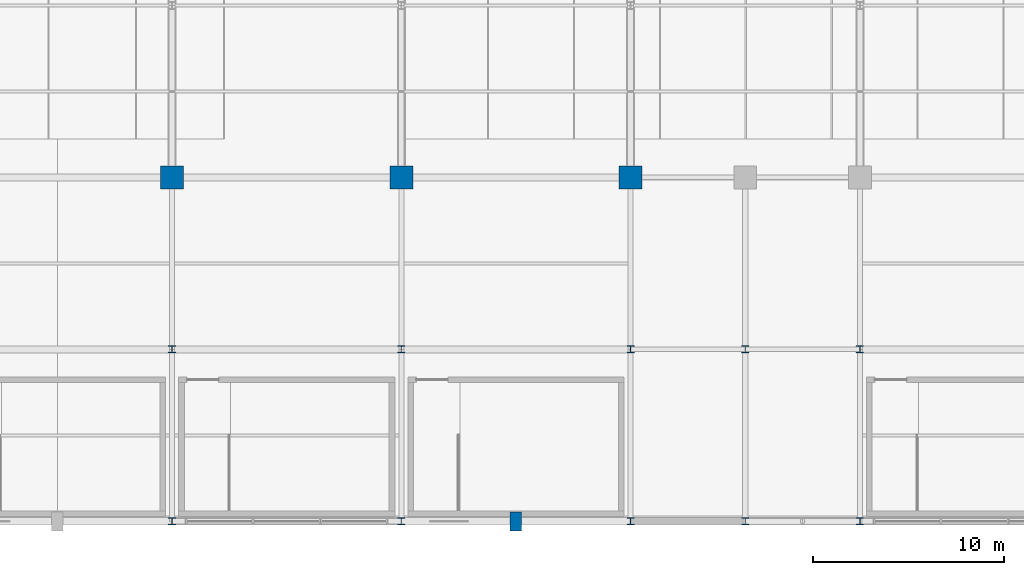
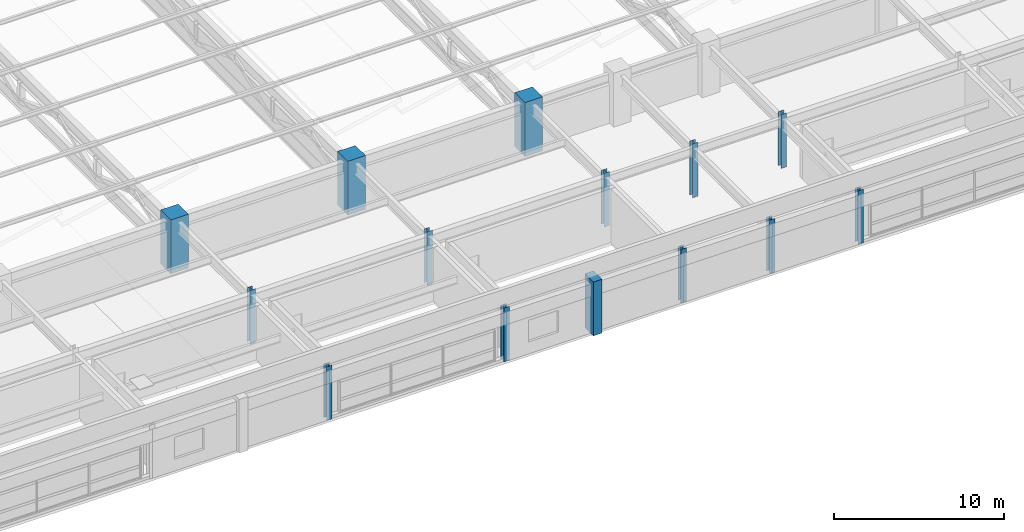
# One storey, part 4 of 108: 14 columns.
"""IFC4 building model written with IfcOpenShell, lengths in metres."""

from ifc_helpers import new_model, si_unit, direction, frame, origin, origin_2d, place, context, subcontext, project, spatial, rectangle, i_section, extrude, material, material_profile, profile_set, type_object, element, save


model = new_model("IFC4")

# Units and contexts
model_context = context("Model", 3, precision=1e-05, world=origin(), true_north=direction((0.0, 1.0)))
body_context = subcontext(model_context, "Body", "Model", "MODEL_VIEW")
ifc_project = project(units=[si_unit("LENGTHUNIT", "METRE"), si_unit("AREAUNIT", "SQUARE_METRE"), si_unit("VOLUMEUNIT", "CUBIC_METRE"), si_unit("PLANEANGLEUNIT", "RADIAN"), si_unit("MASSUNIT", "GRAM", prefix="KILO")], contexts=[model_context])

# Site, building, storey
site_placement = place(None, origin())
site = spatial("IfcSite", under=ifc_project, at=site_placement, CompositionType="ELEMENT")
building_placement = place(site_placement, origin())
building = spatial("IfcBuilding", under=site, at=building_placement, Name="Kaldorvane Square Convention Centre", CompositionType="ELEMENT")
storey_placement = place(building_placement, frame((0.0, 0.0, 23.399993896484375)))
storey = spatial("IfcBuildingStorey", under=building, at=storey_placement, Name="L04", CompositionType="ELEMENT", Elevation=23.399993896484375)

# Columns
ifc_material_1 = material(Name="Concrete f'c = 55 MPa (Normalweight)", Category="concrete")
ifc_material_profile_1 = material_profile(ifc_material_1, rectangle(XDim=1.1999969482421875, YDim=1.1999969482421875, at=origin_2d()), Name="RC1200X1200")
ifc_profile_set_1 = profile_set([ifc_material_profile_1], Name="Concrete f'c = 55 MPa (Normalweight)")
column_type_1 = type_object("IfcColumnType", Name="COL-MEGA-1200", PredefinedType="COLUMN", material=ifc_profile_set_1)
for number, where, z_axis, x_axis, name in (
    (1, (66.0, 18.0, 0.0), (0.0, 0.0, 1.0), (1.0, 0.0, 0.0), "Column MC-02 (L04)"),
    (2, (78.0, 18.0, 0.0), (0.0, 0.0, 1.0), (1.0, 0.0, 0.0), "Column MC-02 (L04)"),
    (3, (90.0, 18.0, 0.0), (0.0, 0.0, 1.0), (1.0, 0.0, 0.0), "Column MC-02 (L04)"),
):
    element("IfcColumn", number, at=place(storey_placement, frame(where, z_axis=z_axis, x_axis=x_axis)), inside=storey, type_object=column_type_1, Name=name, PredefinedType="COLUMN", context=body_context, shape_type="SweptSolid", body=[
        extrude(rectangle(XDim=1.1999969482421875, YDim=1.1999969482421875, at=origin_2d()), origin(), (0.0, 0.0, 1.0), 3.850006103515625),
    ])
ifc_material_2 = material(Name="Steel ASTM A992 Gr. 50", Category="steel")
ifc_material_profile_2 = material_profile(ifc_material_2, i_section(OverallWidth=0.3701019287109375, OverallDepth=0.360198974609375, WebThickness=0.012298583984375, FlangeThickness=0.019805908203125, FilletRadius=0.0305023193359375, at=origin_2d()), Name="W14X99")
ifc_profile_set_2 = profile_set([ifc_material_profile_2], Name="Steel ASTM A992 Gr. 50")
column_type_2 = type_object("IfcColumnType", Name="COL-STL-99", PredefinedType="COLUMN", material=ifc_profile_set_2)
for number, where, z_axis, x_axis, name in (
    (4, (66.0, 0.0, 0.0), (0.0, 0.0, 1.0), (1.0, 0.0, 0.0), "Column SC-12 (L04)"),
    (5, (66.0, 9.0, 0.0), (0.0, 0.0, 1.0), (1.0, 0.0, 0.0), "Column SC-12 (L04)"),
    (6, (78.0, 0.0, 0.0), (0.0, 0.0, 1.0), (1.0, 0.0, 0.0), "Column SC-12 (L04)"),
    (7, (78.0, 9.0, 0.0), (0.0, 0.0, 1.0), (1.0, 0.0, 0.0), "Column SC-12 (L04)"),
    (8, (90.0, 0.0, 0.0), (0.0, 0.0, 1.0), (1.0, 0.0, 0.0), "Column SC-12 (L04)"),
    (9, (90.0, 9.0, 0.0), (0.0, 0.0, 1.0), (1.0, 0.0, 0.0), "Column SC-12 (L04)"),
    (10, (96.0, 0.0, 0.0), (0.0, 0.0, 1.0), (1.0, 0.0, 0.0), "Column SC-12 (L04)"),
    (11, (96.0, 9.0, 0.0), (0.0, 0.0, 1.0), (1.0, 0.0, 0.0), "Column SC-12 (L04)"),
    (12, (102.0, 0.0, 0.0), (0.0, 0.0, 1.0), (1.0, 0.0, 0.0), "Column SC-12 (L04)"),
    (13, (102.0, 9.0, 0.0), (0.0, 0.0, 1.0), (1.0, 0.0, 0.0), "Column SC-12 (L04)"),
):
    element("IfcColumn", number, at=place(storey_placement, frame(where, z_axis=z_axis, x_axis=x_axis)), inside=storey, type_object=column_type_2, Name=name, PredefinedType="COLUMN", context=body_context, shape_type="SweptSolid", body=[
        extrude(i_section(OverallWidth=0.3701019287109375, OverallDepth=0.360198974609375, WebThickness=0.012298583984375, FlangeThickness=0.019805908203125, FilletRadius=0.0305023193359375, at=origin_2d()), origin(), (0.0, 0.0, 1.0), 3.850006103515625),
    ])
ifc_material_profile_3 = material_profile(ifc_material_1, rectangle(XDim=0.600006103515625, YDim=1.0, at=origin_2d()), Name="PIL1000X600")
ifc_profile_set_3 = profile_set([ifc_material_profile_3], Name="Concrete f'c = 55 MPa (Normalweight)")
column_type_3 = type_object("IfcColumnType", Name="PIL-BRUT-1000", PredefinedType="PILASTER", material=ifc_profile_set_3)
column_placement = place(storey_placement, frame((84.0, 0.0, 0.0), z_axis=(0.0, 0.0, 1.0), x_axis=(1.0, 0.0, 0.0)))
element("IfcColumn", 14, at=column_placement, inside=storey, type_object=column_type_3, Name="Brutalist Colonnade Pilaster (L04)", PredefinedType="PILASTER", context=body_context, shape_type="SweptSolid", body=[
    extrude(rectangle(XDim=0.600006103515625, YDim=1.0, at=origin_2d()), origin(), (0.0, 0.0, 1.0), 3.850006103515625),
])

save(model, "model.ifc")
